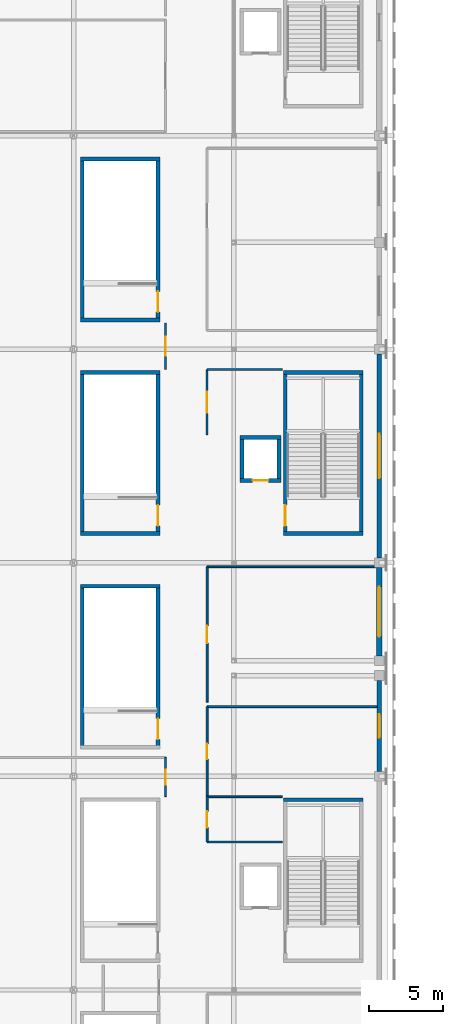
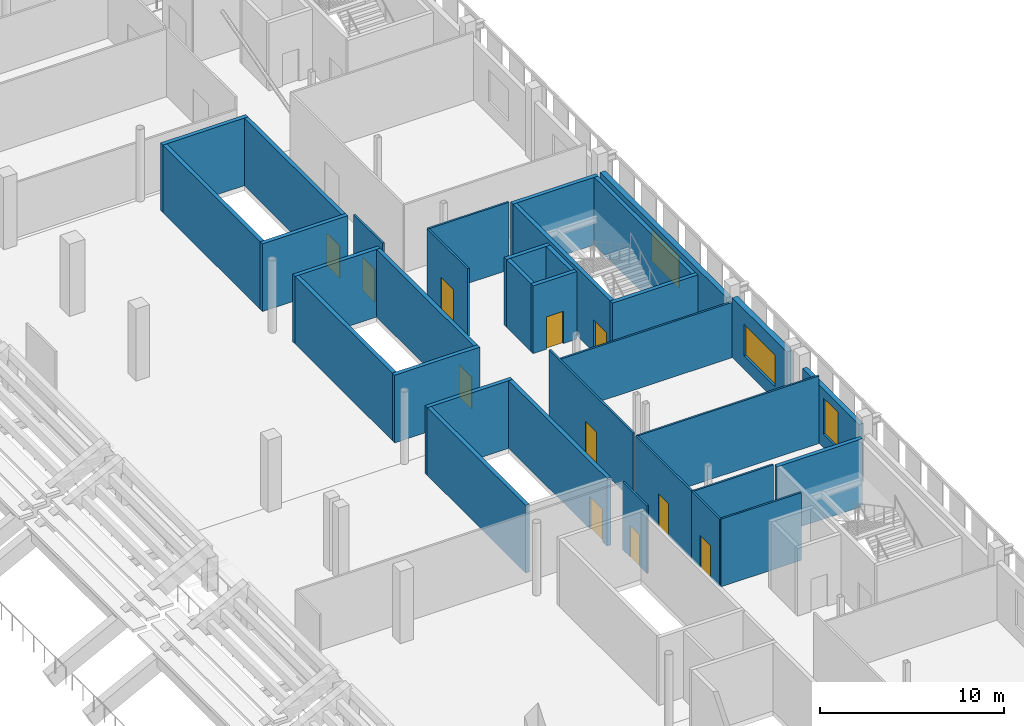
# One storey, part 39 of 74: 34 walls, 11 doors, 3 windows, 14 openings.
"""IFC4 building model written with IfcOpenShell, lengths in metres."""

from ifc_helpers import new_model, si_unit, direction, frame, frame_2d, origin, place, context, subcontext, project, spatial, rectangle, extrude, material, layer, layer_set, type_object, element, fill, save


model = new_model("IFC4")

# Units and contexts
model_context = context("Model", 3, precision=1e-05, world=origin(), true_north=direction((0.0, 1.0)))
body_context = subcontext(model_context, "Body", "Model", "MODEL_VIEW")
ifc_project = project(units=[si_unit("LENGTHUNIT", "METRE"), si_unit("AREAUNIT", "SQUARE_METRE"), si_unit("VOLUMEUNIT", "CUBIC_METRE"), si_unit("PLANEANGLEUNIT", "RADIAN"), si_unit("MASSUNIT", "GRAM", prefix="KILO")], contexts=[model_context])

# Site, building, storey
site_placement = place(None, origin())
site = spatial("IfcSite", under=ifc_project, at=site_placement, CompositionType="ELEMENT")
building_placement = place(site_placement, origin())
building = spatial("IfcBuilding", under=site, at=building_placement, Name="Koshinbarg Plaza Stadium", CompositionType="ELEMENT")
storey_placement = place(building_placement, frame((0.0, 0.0, 15.0)))
storey = spatial("IfcBuildingStorey", under=building, at=storey_placement, Name="L03", CompositionType="ELEMENT", Elevation=15.0)

# Walls
ifc_material_1 = material(Name="Concrete C40/50", Category="concrete")
ifc_layer_1 = layer(ifc_material_1, 0.25)
ifc_layer_set_1 = layer_set([ifc_layer_1], Name="Concrete C40/50")
wall_type_1 = type_object("IfcWallType", Name="WL-CORE-250", PredefinedType="SHEAR", material=ifc_layer_set_1)
for number, where, z_axis, x_axis, name in (
    (1, (217.320068359375, 67.125, 0.0), (0.0, 0.0, 1.0), (-1.0, 0.0, 0.0), "L03 core stair shear wall C08-far IWL-L03-0199"),
    (2, (211.949951171875, 85.074951171875, 0.0), (0.0, 0.0, 1.0), (1.0, 0.0, 0.0), "L03 core stair shear wall C09-near IWL-L03-0222"),
    (3, (217.320068359375, 95.925048828125, 0.0), (0.0, 0.0, 1.0), (-1.0, 0.0, 0.0), "L03 core stair shear wall C09-far IWL-L03-0223"),
):
    element("IfcWall", number, at=place(storey_placement, frame(where, z_axis=z_axis, x_axis=x_axis)), inside=storey, type_object=wall_type_1, Name=name, PredefinedType="SHEAR", context=body_context, shape_type="SweptSolid", body=[
        extrude(rectangle(XDim=5.3701171875, YDim=0.25, at=frame_2d((2.68505859375, 0.0))), origin(), (0.0, 0.0, 1.0), 4.5),
    ])

# Wall, opening, door
wall_1_placement = place(storey_placement, frame((212.074951171875, 85.074951171875, 0.0), z_axis=(0.0, 0.0, 1.0), x_axis=(0.0, 1.0, 0.0)))
wall_1 = element("IfcWall", 4, at=wall_1_placement, inside=storey, type_object=wall_type_1, Name="L03 core stair shear wall C09-left IWL-L03-0224", PredefinedType="SHEAR", context=body_context, shape_type="SweptSolid", body=[
    extrude(rectangle(XDim=10.85009765625, YDim=0.25, at=frame_2d((5.425048828125, 0.0))), origin(), (0.0, 0.0, 1.0), 4.5),
])
opening_1_placement = place(wall_1_placement, frame((0.52001953125, 0.0, 0.0)))
opening_1 = element("IfcOpeningElement", 5, at=opening_1_placement, cuts=wall_1, Name="Opening D-0118", PredefinedType="OPENING", context=body_context, shape_type="SweptSolid", body=[
    extrude(rectangle(XDim=1.39990234375, YDim=2.14990234375, at=frame_2d((0.699951171875, 1.074951171875))), frame((0.0, 0.135009765625, 0.0), z_axis=(0.0, -1.0, 0.0), x_axis=(1.0, 0.0, 0.0)), (0.0, 0.0, 1.0), 0.27001953125),
])
ifc_material_2 = material(Name="Painted galvanized steel fire door", Category="steel")
door_type_1 = type_object("IfcDoorType", Name="DR-STAIR-1400", OperationType="NOTDEFINED", PredefinedType="DOOR", material=ifc_material_2)
door_1_placement = place(opening_1_placement, frame((1.39990234375, 0.0, 0.0), z_axis=(0.0, 0.0, 1.0), x_axis=(-1.0, 0.0, 0.0)))
door_1 = element("IfcDoor", 6, at=door_1_placement, inside=storey, type_object=door_type_1, Name="L03 exit stair door C09", OperationType="SINGLE_SWING_LEFT", OverallHeight=2.14990234375, OverallWidth=1.39990234375, PredefinedType="DOOR", context=body_context, shape_type="SweptSolid", body=[
    extrude(rectangle(XDim=1.39990234375, YDim=2.14990234375, at=frame_2d((0.699951171875, 1.074951171875))), frame((0.0, 0.02490234375, 0.0), z_axis=(0.0, -1.0, 0.0), x_axis=(1.0, 0.0, 0.0)), (0.0, 0.0, 1.0), 0.050048828125),
])
fill(opening_1, door_1)

# Walls
wall_2_placement = place(storey_placement, frame((217.195068359375, 85.074951171875, 0.0), z_axis=(0.0, 0.0, 1.0), x_axis=(0.0, 1.0, 0.0)))
element("IfcWall", 7, at=wall_2_placement, inside=storey, type_object=wall_type_1, Name="L03 core stair shear wall C09-right IWL-L03-0225", PredefinedType="SHEAR", context=body_context, shape_type="SweptSolid", body=[
    extrude(rectangle(XDim=10.85009765625, YDim=0.25, at=frame_2d((5.425048828125, 0.0))), origin(), (0.0, 0.0, 1.0), 4.5),
])
wall_3_placement = place(storey_placement, frame((203.6201171875, 81.52490234375, 0.0), z_axis=(0.0, 0.0, 1.0), x_axis=(-1.0, 0.0, 0.0)))
element("IfcWall", 8, at=wall_3_placement, inside=storey, type_object=wall_type_1, Name="L03 vomitory stair shear wall VX10-far IWL-L03-0511", PredefinedType="SHEAR", context=body_context, shape_type="SweptSolid", body=[
    extrude(rectangle(XDim=5.3701171875, YDim=0.25, at=frame_2d((2.68505859375, 0.0))), origin(), (0.0, 0.0, 1.0), 4.5),
])
wall_4_placement = place(storey_placement, frame((198.375, 70.675048828125, 0.0), z_axis=(0.0, 0.0, 1.0), x_axis=(0.0, 1.0, 0.0)))
element("IfcWall", 9, at=wall_4_placement, inside=storey, type_object=wall_type_1, Name="L03 vomitory stair shear wall VX10-left IWL-L03-0512", PredefinedType="SHEAR", context=body_context, shape_type="SweptSolid", body=[
    extrude(rectangle(XDim=10.849853515625, YDim=0.25, at=frame_2d((5.4248046875, 0.0))), origin(), (0.0, 0.0, 1.0), 4.5),
])

# Wall, opening, door
wall_5_placement = place(storey_placement, frame((203.4951171875, 70.675048828125, 0.0), z_axis=(0.0, 0.0, 1.0), x_axis=(0.0, 1.0, 0.0)))
wall_5 = element("IfcWall", 10, at=wall_5_placement, inside=storey, type_object=wall_type_1, Name="L03 vomitory stair shear wall VX10-right IWL-L03-0513", PredefinedType="SHEAR", context=body_context, shape_type="SweptSolid", body=[
    extrude(rectangle(XDim=10.849853515625, YDim=0.25, at=frame_2d((5.4248046875, 0.0))), origin(), (0.0, 0.0, 1.0), 4.5),
])
opening_2_placement = place(wall_5_placement, frame((0.52001953125, 0.0, 0.0)))
opening_2 = element("IfcOpeningElement", 11, at=opening_2_placement, cuts=wall_5, Name="Opening D-0190", PredefinedType="OPENING", context=body_context, shape_type="SweptSolid", body=[
    extrude(rectangle(XDim=1.39990234375, YDim=2.14990234375, at=frame_2d((0.699951171875, 1.074951171875))), frame((0.0, 0.135009765625, 0.0), z_axis=(0.0, -1.0, 0.0), x_axis=(1.0, 0.0, 0.0)), (0.0, 0.0, 1.0), 0.27001953125),
])
door_2_placement = place(opening_2_placement, origin())
door_2 = element("IfcDoor", 12, at=door_2_placement, inside=storey, type_object=door_type_1, Name="L03 vomitory exit stair door VX10", OperationType="SINGLE_SWING_RIGHT", OverallHeight=2.14990234375, OverallWidth=1.39990234375, PredefinedType="DOOR", context=body_context, shape_type="SweptSolid", body=[
    extrude(rectangle(XDim=1.39990234375, YDim=2.14990234375, at=frame_2d((0.699951171875, 1.074951171875))), frame((0.0, 0.02490234375, 0.0), z_axis=(0.0, -1.0, 0.0), x_axis=(1.0, 0.0, 0.0)), (0.0, 0.0, 1.0), 0.050048828125),
])
fill(opening_2, door_2)

# Walls
for number, where, z_axis, x_axis, name in (
    (13, (198.25, 85.074951171875, 0.0), (0.0, 0.0, 1.0), (1.0, 0.0, 0.0), "L03 vomitory stair shear wall VX11-near IWL-L03-0526"),
    (14, (203.6201171875, 95.925048828125, 0.0), (0.0, 0.0, 1.0), (-1.0, 0.0, 0.0), "L03 vomitory stair shear wall VX11-far IWL-L03-0527"),
):
    element("IfcWall", number, at=place(storey_placement, frame(where, z_axis=z_axis, x_axis=x_axis)), inside=storey, type_object=wall_type_1, Name=name, PredefinedType="SHEAR", context=body_context, shape_type="SweptSolid", body=[
        extrude(rectangle(XDim=5.3701171875, YDim=0.25, at=frame_2d((2.68505859375, 0.0))), origin(), (0.0, 0.0, 1.0), 4.5),
    ])
wall_6_placement = place(storey_placement, frame((198.375, 85.074951171875, 0.0), z_axis=(0.0, 0.0, 1.0), x_axis=(0.0, 1.0, 0.0)))
element("IfcWall", 15, at=wall_6_placement, inside=storey, type_object=wall_type_1, Name="L03 vomitory stair shear wall VX11-left IWL-L03-0528", PredefinedType="SHEAR", context=body_context, shape_type="SweptSolid", body=[
    extrude(rectangle(XDim=10.85009765625, YDim=0.25, at=frame_2d((5.425048828125, 0.0))), origin(), (0.0, 0.0, 1.0), 4.5),
])

# Wall, opening, door
wall_7_placement = place(storey_placement, frame((203.4951171875, 85.074951171875, 0.0), z_axis=(0.0, 0.0, 1.0), x_axis=(0.0, 1.0, 0.0)))
wall_7 = element("IfcWall", 16, at=wall_7_placement, inside=storey, type_object=wall_type_1, Name="L03 vomitory stair shear wall VX11-right IWL-L03-0529", PredefinedType="SHEAR", context=body_context, shape_type="SweptSolid", body=[
    extrude(rectangle(XDim=10.85009765625, YDim=0.25, at=frame_2d((5.425048828125, 0.0))), origin(), (0.0, 0.0, 1.0), 4.5),
])
opening_3_placement = place(wall_7_placement, frame((0.52001953125, 0.0, 0.0)))
opening_3 = element("IfcOpeningElement", 17, at=opening_3_placement, cuts=wall_7, Name="Opening D-0194", PredefinedType="OPENING", context=body_context, shape_type="SweptSolid", body=[
    extrude(rectangle(XDim=1.39990234375, YDim=2.14990234375, at=frame_2d((0.699951171875, 1.074951171875))), frame((0.0, 0.135009765625, 0.0), z_axis=(0.0, -1.0, 0.0), x_axis=(1.0, 0.0, 0.0)), (0.0, 0.0, 1.0), 0.27001953125),
])
door_3_placement = place(opening_3_placement, origin())
door_3 = element("IfcDoor", 18, at=door_3_placement, inside=storey, type_object=door_type_1, Name="L03 vomitory exit stair door VX11", OperationType="SINGLE_SWING_LEFT", OverallHeight=2.14990234375, OverallWidth=1.39990234375, PredefinedType="DOOR", context=body_context, shape_type="SweptSolid", body=[
    extrude(rectangle(XDim=1.39990234375, YDim=2.14990234375, at=frame_2d((0.699951171875, 1.074951171875))), frame((0.0, 0.02490234375, 0.0), z_axis=(0.0, -1.0, 0.0), x_axis=(1.0, 0.0, 0.0)), (0.0, 0.0, 1.0), 0.050048828125),
])
fill(opening_3, door_3)

# Walls
for number, where, z_axis, x_axis, name in (
    (19, (198.25, 99.47509765625, 0.0), (0.0, 0.0, 1.0), (1.0, 0.0, 0.0), "L03 vomitory stair shear wall VX12-near IWL-L03-0542"),
    (20, (203.6201171875, 110.324951171875, 0.0), (0.0, 0.0, 1.0), (-1.0, 0.0, 0.0), "L03 vomitory stair shear wall VX12-far IWL-L03-0543"),
):
    element("IfcWall", number, at=place(storey_placement, frame(where, z_axis=z_axis, x_axis=x_axis)), inside=storey, type_object=wall_type_1, Name=name, PredefinedType="SHEAR", context=body_context, shape_type="SweptSolid", body=[
        extrude(rectangle(XDim=5.3701171875, YDim=0.25, at=frame_2d((2.68505859375, 0.0))), origin(), (0.0, 0.0, 1.0), 4.5),
    ])
wall_8_placement = place(storey_placement, frame((198.375, 99.47509765625, 0.0), z_axis=(0.0, 0.0, 1.0), x_axis=(0.0, 1.0, 0.0)))
element("IfcWall", 21, at=wall_8_placement, inside=storey, type_object=wall_type_1, Name="L03 vomitory stair shear wall VX12-left IWL-L03-0544", PredefinedType="SHEAR", context=body_context, shape_type="SweptSolid", body=[
    extrude(rectangle(XDim=10.849853515625, YDim=0.25, at=frame_2d((5.4248046875, 0.0))), origin(), (0.0, 0.0, 1.0), 4.5),
])

# Wall, opening, door
wall_9_placement = place(storey_placement, frame((203.4951171875, 99.47509765625, 0.0), z_axis=(0.0, 0.0, 1.0), x_axis=(0.0, 1.0, 0.0)))
wall_9 = element("IfcWall", 22, at=wall_9_placement, inside=storey, type_object=wall_type_1, Name="L03 vomitory stair shear wall VX12-right IWL-L03-0545", PredefinedType="SHEAR", context=body_context, shape_type="SweptSolid", body=[
    extrude(rectangle(XDim=10.849853515625, YDim=0.25, at=frame_2d((5.4248046875, 0.0))), origin(), (0.0, 0.0, 1.0), 4.5),
])
opening_4_placement = place(wall_9_placement, frame((0.52001953125, 0.0, 0.0)))
opening_4 = element("IfcOpeningElement", 23, at=opening_4_placement, cuts=wall_9, Name="Opening D-0198", PredefinedType="OPENING", context=body_context, shape_type="SweptSolid", body=[
    extrude(rectangle(XDim=1.39990234375, YDim=2.14990234375, at=frame_2d((0.699951171875, 1.074951171875))), frame((0.0, 0.135009765625, 0.0), z_axis=(0.0, -1.0, 0.0), x_axis=(1.0, 0.0, 0.0)), (0.0, 0.0, 1.0), 0.27001953125),
])
door_4_placement = place(opening_4_placement, origin())
door_4 = element("IfcDoor", 24, at=door_4_placement, inside=storey, type_object=door_type_1, Name="L03 vomitory exit stair door VX12", OperationType="SINGLE_SWING_RIGHT", OverallHeight=2.14990234375, OverallWidth=1.39990234375, PredefinedType="DOOR", context=body_context, shape_type="SweptSolid", body=[
    extrude(rectangle(XDim=1.39990234375, YDim=2.14990234375, at=frame_2d((0.699951171875, 1.074951171875))), frame((0.0, 0.02490234375, 0.0), z_axis=(0.0, -1.0, 0.0), x_axis=(1.0, 0.0, 0.0)), (0.0, 0.0, 1.0), 0.050048828125),
])
fill(opening_4, door_4)

wall_10_placement = place(storey_placement, frame((209.02490234375, 88.64990234375, 0.0), z_axis=(0.0, 0.0, 1.0), x_axis=(1.0, 0.0, 0.0)))
wall_10 = element("IfcWall", 25, at=wall_10_placement, inside=storey, type_object=wall_type_1, Name="L03 lift shaft shear wall LP05-S IWL-L03-0922", PredefinedType="SHEAR", context=body_context, shape_type="SweptSolid", body=[
    extrude(rectangle(XDim=2.75, YDim=0.25, at=frame_2d((1.375, 0.0))), origin(), (0.0, 0.0, 1.0), 4.5),
])
opening_5_placement = place(wall_10_placement, frame((0.85009765625, 0.0, 0.0)))
opening_5 = element("IfcOpeningElement", 26, at=opening_5_placement, cuts=wall_10, Name="Opening D-0300", PredefinedType="OPENING", context=body_context, shape_type="SweptSolid", body=[
    extrude(rectangle(XDim=1.050048828125, YDim=2.14990234375, at=frame_2d((0.52490234375, 1.074951171875))), frame((0.0, 0.135009765625, 0.0), z_axis=(0.0, -1.0, 0.0), x_axis=(1.0, 0.0, 0.0)), (0.0, 0.0, 1.0), 0.27001953125),
])
ifc_material_3 = material(Name="Brushed stainless steel sliding lift landing door", Category="steel")
door_type_2 = type_object("IfcDoorType", Name="DR-LIFT-1050", OperationType="NOTDEFINED", PredefinedType="DOOR", material=ifc_material_3)
door_5_placement = place(opening_5_placement, origin())
door_5 = element("IfcDoor", 27, at=door_5_placement, inside=storey, type_object=door_type_2, Name="L03 lift landing door LP05", OperationType="SLIDING_TO_RIGHT", OverallHeight=2.14990234375, OverallWidth=1.050048828125, PredefinedType="DOOR", context=body_context, shape_type="SweptSolid", body=[
    extrude(rectangle(XDim=1.050048828125, YDim=2.14990234375, at=frame_2d((0.52490234375, 1.074951171875))), frame((0.0, 0.02490234375, 0.0), z_axis=(0.0, -1.0, 0.0), x_axis=(1.0, 0.0, 0.0)), (0.0, 0.0, 1.0), 0.050048828125),
])
fill(opening_5, door_5)

# Walls
wall_11_placement = place(storey_placement, frame((211.77490234375, 91.550048828125, 0.0), z_axis=(0.0, 0.0, 1.0), x_axis=(-1.0, 0.0, 0.0)))
element("IfcWall", 28, at=wall_11_placement, inside=storey, type_object=wall_type_1, Name="L03 lift shaft shear wall LP05-N IWL-L03-0923", PredefinedType="SHEAR", context=body_context, shape_type="SweptSolid", body=[
    extrude(rectangle(XDim=2.75, YDim=0.25, at=frame_2d((1.375, 0.0))), origin(), (0.0, 0.0, 1.0), 4.5),
])
for number, where, z_axis, x_axis, name in (
    (29, (209.14990234375, 91.550048828125, 0.0), (0.0, 0.0, 1.0), (0.0, -1.0, 0.0), "L03 lift shaft shear wall LP05-W IWL-L03-0924"),
    (30, (211.64990234375, 88.64990234375, 0.0), (0.0, 0.0, 1.0), (0.0, 1.0, 0.0), "L03 lift shaft shear wall LP05-E IWL-L03-0925"),
):
    element("IfcWall", number, at=place(storey_placement, frame(where, z_axis=z_axis, x_axis=x_axis)), inside=storey, type_object=wall_type_1, Name=name, PredefinedType="SHEAR", context=body_context, shape_type="SweptSolid", body=[
        extrude(rectangle(XDim=2.900146484375, YDim=0.25, at=frame_2d((1.4501953125, 0.0))), origin(), (0.0, 0.0, 1.0), 4.5),
    ])

# Wall, opening, window
ifc_material_4 = material(Name="Terracotta-ochre mineral plaster insulated wall", Category="masonry")
ifc_layer_2 = layer(ifc_material_4, 0.280029296875)
ifc_layer_set_2 = layer_set([ifc_layer_2], Name="Terracotta-ochre mineral plaster insulated wall")
wall_type_2 = type_object("IfcWallType", Name="WL-EXT-280", PredefinedType="SOLIDWALL", material=ifc_layer_set_2)
wall_12_placement = place(storey_placement, frame((218.39990234375, 75.179931640625, 0.0), z_axis=(0.0, 0.0, 1.0), x_axis=(0.0, -1.0, 0.0)))
wall_12 = element("IfcWall", 31, at=wall_12_placement, inside=storey, type_object=wall_type_2, Name="L03 exterior envelope wall EWL-L03-0180", PredefinedType="SOLIDWALL", context=body_context, shape_type="SweptSolid", body=[
    extrude(rectangle(XDim=6.159912109375, YDim=0.280029296875, at=frame_2d((3.080078125, 0.0))), origin(), (0.0, 0.0, 1.0), 3.8798828125),
])
opening_6_placement = place(wall_12_placement, frame((2.280029296875, 0.0, 0.89990234375)))
opening_6 = element("IfcOpeningElement", 32, at=opening_6_placement, cuts=wall_12, Name="Opening WN19", PredefinedType="OPENING", context=body_context, shape_type="SweptSolid", body=[
    extrude(rectangle(XDim=1.60009765625, YDim=2.39990234375, at=frame_2d((0.800048828125, 1.199951171875))), frame((0.0, 0.14990234375, 0.0), z_axis=(0.0, -1.0, 0.0), x_axis=(1.0, 0.0, 0.0)), (0.0, 0.0, 1.0), 0.300048828125),
])
ifc_material_5 = material(Name="Solar-control double glazing in thermally broken aluminium frame", Category="aluminium")
window_type_1 = type_object("IfcWindowType", Name="WN-FAC-19", PartitioningType="DOUBLE_PANEL_VERTICAL", PredefinedType="WINDOW", material=ifc_material_5)
window_1_placement = place(opening_6_placement, origin())
window_1 = element("IfcWindow", 33, at=window_1_placement, inside=storey, type_object=window_type_1, Name="L03 facade window 0113", OverallHeight=2.39990234375, OverallWidth=1.60009765625, PartitioningType="SINGLE_PANEL", PredefinedType="WINDOW", context=body_context, shape_type="SweptSolid", body=[
    extrude(rectangle(XDim=1.60009765625, YDim=2.39990234375, at=frame_2d((0.800048828125, 1.199951171875))), frame((0.0, 0.030029296875, 0.0), z_axis=(0.0, -1.0, 0.0), x_axis=(1.0, 0.0, 0.0)), (0.0, 0.0, 1.0), 0.06005859375),
])
fill(opening_6, window_1)

ifc_material_6 = material(Name="Ultramarine-blue pigmented mineral plaster facade wall", Category="masonry")
ifc_layer_3 = layer(ifc_material_6, 0.320068359375)
ifc_layer_set_3 = layer_set([ifc_layer_3], Name="Ultramarine-blue pigmented mineral plaster facade wall")
wall_type_3 = type_object("IfcWallType", Name="WL-EXT-320", PredefinedType="SOLIDWALL", material=ifc_layer_set_3)
wall_13_placement = place(storey_placement, frame((218.39990234375, 97.179931640625, 0.0), z_axis=(0.0, 0.0, 1.0), x_axis=(0.0, -1.0, 0.0)))
wall_13 = element("IfcWall", 34, at=wall_13_placement, inside=storey, type_object=wall_type_3, Name="L03 exterior envelope wall EWL-L03-0178", PredefinedType="SOLIDWALL", context=body_context, shape_type="SweptSolid", body=[
    extrude(rectangle(XDim=13.760009765625, YDim=0.320068359375, at=frame_2d((6.8798828125, 0.0))), origin(), (0.0, 0.0, 1.0), 3.580078125),
])
opening_7_placement = place(wall_13_placement, frame((5.3798828125, 0.0, 0.89990234375)))
opening_7 = element("IfcOpeningElement", 35, at=opening_7_placement, cuts=wall_13, Name="Opening WN17", PredefinedType="OPENING", context=body_context, shape_type="SweptSolid", body=[
    extrude(rectangle(XDim=3.0, YDim=2.10009765625, at=frame_2d((1.5, 1.050048828125))), frame((0.0, 0.169921875, 0.0), z_axis=(0.0, -1.0, 0.0), x_axis=(1.0, 0.0, 0.0)), (0.0, 0.0, 1.0), 0.340087890625),
])
window_type_2 = type_object("IfcWindowType", Name="WN-FAC-17", PartitioningType="DOUBLE_PANEL_VERTICAL", PredefinedType="WINDOW", material=ifc_material_5)
window_2_placement = place(opening_7_placement, origin())
window_2 = element("IfcWindow", 36, at=window_2_placement, inside=storey, type_object=window_type_2, Name="L03 facade window 0111", OverallHeight=2.10009765625, OverallWidth=3.0, PartitioningType="SINGLE_PANEL", PredefinedType="WINDOW", context=body_context, shape_type="SweptSolid", body=[
    extrude(rectangle(XDim=3.0, YDim=2.10009765625, at=frame_2d((1.5, 1.050048828125))), frame((0.0, 0.030029296875, 0.0), z_axis=(0.0, -1.0, 0.0), x_axis=(1.0, 0.0, 0.0)), (0.0, 0.0, 1.0), 0.06005859375),
])
fill(opening_7, window_2)

ifc_material_7 = material(Name="Acoustic insulated masonry stadium wall", Category="masonry")
ifc_layer_4 = layer(ifc_material_7, 0.35009765625)
ifc_layer_set_4 = layer_set([ifc_layer_4], Name="Acoustic insulated masonry stadium wall")
wall_type_4 = type_object("IfcWallType", Name="WL-EXT-350", PredefinedType="SOLIDWALL", material=ifc_layer_set_4)
wall_14_placement = place(storey_placement, frame((218.39990234375, 82.780029296875, 0.0), z_axis=(0.0, 0.0, 1.0), x_axis=(0.0, -1.0, 0.0)))
wall_14 = element("IfcWall", 37, at=wall_14_placement, inside=storey, type_object=wall_type_4, Name="L03 exterior envelope wall EWL-L03-0179", PredefinedType="SOLIDWALL", context=body_context, shape_type="SweptSolid", body=[
    extrude(rectangle(XDim=5.9599609375, YDim=0.35009765625, at=frame_2d((2.97998046875, 0.0))), origin(), (0.0, 0.0, 1.0), 3.97998046875),
])
opening_8_placement = place(wall_14_placement, frame((1.280029296875, 0.0, 0.89990234375)))
opening_8 = element("IfcOpeningElement", 38, at=opening_8_placement, cuts=wall_14, Name="Opening WN18", PredefinedType="OPENING", context=body_context, shape_type="SweptSolid", body=[
    extrude(rectangle(XDim=3.39990234375, YDim=2.10009765625, at=frame_2d((1.699951171875, 1.050048828125))), frame((0.0, 0.18505859375, 0.0), z_axis=(0.0, -1.0, 0.0), x_axis=(1.0, 0.0, 0.0)), (0.0, 0.0, 1.0), 0.3701171875),
])
window_type_3 = type_object("IfcWindowType", Name="WN-FAC-18", PartitioningType="DOUBLE_PANEL_VERTICAL", PredefinedType="WINDOW", material=ifc_material_5)
window_3_placement = place(opening_8_placement, origin())
window_3 = element("IfcWindow", 39, at=window_3_placement, inside=storey, type_object=window_type_3, Name="L03 facade window 0112", OverallHeight=2.10009765625, OverallWidth=3.39990234375, PartitioningType="SINGLE_PANEL", PredefinedType="WINDOW", context=body_context, shape_type="SweptSolid", body=[
    extrude(rectangle(XDim=3.39990234375, YDim=2.10009765625, at=frame_2d((1.699951171875, 1.050048828125))), frame((0.0, 0.030029296875, 0.0), z_axis=(0.0, -1.0, 0.0), x_axis=(1.0, 0.0, 0.0)), (0.0, 0.0, 1.0), 0.06005859375),
])
fill(opening_8, window_3)

# Wall, opening, door
ifc_material_8 = material(Name="Gypsum board metal-stud acoustic partition")
ifc_layer_5 = layer(ifc_material_8, 0.1201171875)
ifc_layer_set_5 = layer_set([ifc_layer_5], Name="Gypsum board metal-stud acoustic partition")
wall_type_5 = type_object("IfcWallType", Name="WL-PART-120", PredefinedType="PARTITIONING", material=ifc_layer_set_5)
wall_15_placement = place(storey_placement, frame((204.0, 67.330078125, 0.0), z_axis=(0.0, 0.0, 1.0), x_axis=(0.0, 1.0, 0.0)))
wall_15 = element("IfcWall", 40, at=wall_15_placement, inside=storey, type_object=wall_type_5, Name="L03 interior partition L03-86-east IWL-L03-1973", PredefinedType="PARTITIONING", context=body_context, shape_type="SweptSolid", body=[
    extrude(rectangle(XDim=2.64794921875, YDim=0.1201171875, at=frame_2d((1.323974609375, 0.0))), origin(), (0.0, 0.0, 1.0), 4.5),
])
opening_9_placement = place(wall_15_placement, frame((0.823974609375, 0.0, 0.0)))
opening_9 = element("IfcOpeningElement", 41, at=opening_9_placement, cuts=wall_15, Name="Opening D-0676", PredefinedType="OPENING", context=body_context, shape_type="SweptSolid", body=[
    extrude(rectangle(XDim=1.0, YDim=2.10009765625, at=frame_2d((0.5, 1.050048828125))), frame((0.0, 0.070068359375, 0.0), z_axis=(0.0, -1.0, 0.0), x_axis=(1.0, 0.0, 0.0)), (0.0, 0.0, 1.0), 0.14013671875),
])
ifc_material_9 = material(Name="Solid-core laminate accessible WC door")
door_type_3 = type_object("IfcDoorType", Name="DR-INT-1000x2100", OperationType="NOTDEFINED", PredefinedType="DOOR", material=ifc_material_9)
door_6_placement = place(opening_9_placement, origin())
door_6 = element("IfcDoor", 42, at=door_6_placement, inside=storey, type_object=door_type_3, Name="L03 Youth Fan Zone Hall door D-0676", OperationType="SINGLE_SWING_RIGHT", OverallHeight=2.10009765625, OverallWidth=1.0, PredefinedType="DOOR", context=body_context, shape_type="SweptSolid", body=[
    extrude(rectangle(XDim=1.0, YDim=2.10009765625, at=frame_2d((0.5, 1.050048828125))), frame((0.0, 0.02490234375, 0.0), z_axis=(0.0, -1.0, 0.0), x_axis=(1.0, 0.0, 0.0)), (0.0, 0.0, 1.0), 0.050048828125),
])
fill(opening_9, door_6)

# Wall
wall_16_placement = place(storey_placement, frame((218.2548828125, 73.4052734375, 0.0), z_axis=(0.0, 0.0, 1.0), x_axis=(-1.0, 0.0, 0.0)))
element("IfcWall", 43, at=wall_16_placement, inside=storey, type_object=wall_type_5, Name="L03 interior partition L03-87-north IWL-L03-1976", PredefinedType="PARTITIONING", context=body_context, shape_type="SweptSolid", body=[
    extrude(rectangle(XDim=11.454833984375, YDim=0.1201171875, at=frame_2d((5.7275390625, 0.0))), origin(), (0.0, 0.0, 1.0), 4.5),
])

# Wall, opening, door
wall_17_placement = place(storey_placement, frame((206.800048828125, 73.4052734375, 0.0), z_axis=(0.0, 0.0, 1.0), x_axis=(0.0, -1.0, 0.0)))
wall_17 = element("IfcWall", 44, at=wall_17_placement, inside=storey, type_object=wall_type_5, Name="L03 interior partition L03-87-west IWL-L03-1977", PredefinedType="PARTITIONING", context=body_context, shape_type="SweptSolid", body=[
    extrude(rectangle(XDim=6.0751953125, YDim=0.1201171875, at=frame_2d((3.03759765625, 0.0))), origin(), (0.0, 0.0, 1.0), 4.5),
])
opening_10_placement = place(wall_17_placement, frame((2.5126953125, 0.0, 0.0)))
opening_10 = element("IfcOpeningElement", 45, at=opening_10_placement, cuts=wall_17, Name="Opening D-0677", PredefinedType="OPENING", context=body_context, shape_type="SweptSolid", body=[
    extrude(rectangle(XDim=1.050048828125, YDim=2.14990234375, at=frame_2d((0.52490234375, 1.074951171875))), frame((0.0, 0.070068359375, 0.0), z_axis=(0.0, -1.0, 0.0), x_axis=(1.0, 0.0, 0.0)), (0.0, 0.0, 1.0), 0.14013671875),
])
ifc_material_10 = material(Name="Solid-core oak suite entrance door")
door_type_4 = type_object("IfcDoorType", Name="DR-INT-1050x2150", OperationType="NOTDEFINED", PredefinedType="DOOR", material=ifc_material_10)
door_7_placement = place(opening_10_placement, origin())
door_7 = element("IfcDoor", 46, at=door_7_placement, inside=storey, type_object=door_type_4, Name="L03 East Upper Public Concourse door D-0677", OperationType="SINGLE_SWING_LEFT", OverallHeight=2.14990234375, OverallWidth=1.050048828125, PredefinedType="DOOR", context=body_context, shape_type="SweptSolid", body=[
    extrude(rectangle(XDim=1.050048828125, YDim=2.14990234375, at=frame_2d((0.52490234375, 1.074951171875))), frame((0.0, 0.02490234375, 0.0), z_axis=(0.0, -1.0, 0.0), x_axis=(1.0, 0.0, 0.0)), (0.0, 0.0, 1.0), 0.050048828125),
])
fill(opening_10, door_7)

# Walls
for number, where, z_axis, x_axis, name in (
    (47, (206.800048828125, 64.280517578125, 0.0), (0.0, 0.0, 1.0), (1.0, 0.0, 0.0), "L03 interior partition L03-88-south IWL-L03-1978"),
    (48, (211.8701171875, 67.330078125, 0.0), (0.0, 0.0, 1.0), (-1.0, 0.0, 0.0), "L03 interior partition L03-88-north IWL-L03-1979"),
):
    element("IfcWall", number, at=place(storey_placement, frame(where, z_axis=z_axis, x_axis=x_axis)), inside=storey, type_object=wall_type_5, Name=name, PredefinedType="PARTITIONING", context=body_context, shape_type="SweptSolid", body=[
        extrude(rectangle(XDim=5.070068359375, YDim=0.1201171875, at=frame_2d((2.53515625, 0.0))), origin(), (0.0, 0.0, 1.0), 4.5),
    ])

# Wall, opening, door
wall_18_placement = place(storey_placement, frame((206.800048828125, 67.330078125, 0.0), z_axis=(0.0, 0.0, 1.0), x_axis=(0.0, -1.0, 0.0)))
wall_18 = element("IfcWall", 49, at=wall_18_placement, inside=storey, type_object=wall_type_5, Name="L03 interior partition L03-88-west IWL-L03-1980", PredefinedType="PARTITIONING", context=body_context, shape_type="SweptSolid", body=[
    extrude(rectangle(XDim=3.049560546875, YDim=0.1201171875, at=frame_2d((1.52490234375, 0.0))), origin(), (0.0, 0.0, 1.0), 4.5),
])
opening_11_placement = place(wall_18_placement, frame((0.96484375, 0.0, 0.0)))
opening_11 = element("IfcOpeningElement", 50, at=opening_11_placement, cuts=wall_18, Name="Opening D-0678", PredefinedType="OPENING", context=body_context, shape_type="SweptSolid", body=[
    extrude(rectangle(XDim=1.1201171875, YDim=2.14990234375, at=frame_2d((0.56005859375, 1.074951171875))), frame((0.0, 0.070068359375, 0.0), z_axis=(0.0, -1.0, 0.0), x_axis=(1.0, 0.0, 0.0)), (0.0, 0.0, 1.0), 0.14013671875),
])
ifc_material_11 = material(Name="Acoustic timber broadcast studio door", Category="wood")
door_type_5 = type_object("IfcDoorType", Name="DR-INT-1120x2150", OperationType="NOTDEFINED", PredefinedType="DOOR", material=ifc_material_11)
door_8_placement = place(opening_11_placement, origin())
door_8 = element("IfcDoor", 51, at=door_8_placement, inside=storey, type_object=door_type_5, Name="L03 East Family Cafe Hall door D-0678", OperationType="SINGLE_SWING_RIGHT", OverallHeight=2.14990234375, OverallWidth=1.1201171875, PredefinedType="DOOR", context=body_context, shape_type="SweptSolid", body=[
    extrude(rectangle(XDim=1.1201171875, YDim=2.14990234375, at=frame_2d((0.56005859375, 1.074951171875))), frame((0.0, 0.02490234375, 0.0), z_axis=(0.0, -1.0, 0.0), x_axis=(1.0, 0.0, 0.0)), (0.0, 0.0, 1.0), 0.050048828125),
])
fill(opening_11, door_8)

# Wall
wall_19_placement = place(storey_placement, frame((218.2548828125, 82.830078125, 0.0), z_axis=(0.0, 0.0, 1.0), x_axis=(-1.0, 0.0, 0.0)))
element("IfcWall", 52, at=wall_19_placement, inside=storey, type_object=wall_type_5, Name="L03 interior partition L03-89-north IWL-L03-1981", PredefinedType="PARTITIONING", context=body_context, shape_type="SweptSolid", body=[
    extrude(rectangle(XDim=11.454833984375, YDim=0.1201171875, at=frame_2d((5.7275390625, 0.0))), origin(), (0.0, 0.0, 1.0), 3.679931640625),
])

# Wall, opening, door
wall_20_placement = place(storey_placement, frame((206.800048828125, 82.830078125, 0.0), z_axis=(0.0, 0.0, 1.0), x_axis=(0.0, -1.0, 0.0)))
wall_20 = element("IfcWall", 53, at=wall_20_placement, inside=storey, type_object=wall_type_5, Name="L03 interior partition L03-89-west IWL-L03-1982", PredefinedType="PARTITIONING", context=body_context, shape_type="SweptSolid", body=[
    extrude(rectangle(XDim=9.125, YDim=0.1201171875, at=frame_2d((4.5625, 0.0))), origin(), (0.0, 0.0, 1.0), 4.5),
])
opening_12_placement = place(wall_20_placement, frame((3.96240234375, 0.0, 0.0)))
opening_12 = element("IfcOpeningElement", 54, at=opening_12_placement, cuts=wall_20, Name="Opening D-0679", PredefinedType="OPENING", context=body_context, shape_type="SweptSolid", body=[
    extrude(rectangle(XDim=1.199951171875, YDim=2.14990234375, at=frame_2d((0.60009765625, 1.074951171875))), frame((0.0, 0.070068359375, 0.0), z_axis=(0.0, -1.0, 0.0), x_axis=(1.0, 0.0, 0.0)), (0.0, 0.0, 1.0), 0.14013671875),
])
ifc_material_12 = material(Name="Solid-core hardwood leaf in painted steel frame", Category="steel")
door_type_6 = type_object("IfcDoorType", Name="DR-INT-1200x2150", OperationType="NOTDEFINED", PredefinedType="DOOR", material=ifc_material_12)
door_9_placement = place(opening_12_placement, origin())
door_9 = element("IfcDoor", 55, at=door_9_placement, inside=storey, type_object=door_type_6, Name="L03 East Family Cafe Hall door D-0679", OperationType="SINGLE_SWING_LEFT", OverallHeight=2.14990234375, OverallWidth=1.199951171875, PredefinedType="DOOR", context=body_context, shape_type="SweptSolid", body=[
    extrude(rectangle(XDim=1.199951171875, YDim=2.14990234375, at=frame_2d((0.60009765625, 1.074951171875))), frame((0.0, 0.02490234375, 0.0), z_axis=(0.0, -1.0, 0.0), x_axis=(1.0, 0.0, 0.0)), (0.0, 0.0, 1.0), 0.050048828125),
])
fill(opening_12, door_9)

wall_21_placement = place(storey_placement, frame((204.0, 96.1298828125, 0.0), z_axis=(0.0, 0.0, 1.0), x_axis=(0.0, 1.0, 0.0)))
wall_21 = element("IfcWall", 56, at=wall_21_placement, inside=storey, type_object=wall_type_5, Name="L03 interior partition L03-90-east IWL-L03-1983", PredefinedType="PARTITIONING", context=body_context, shape_type="SweptSolid", body=[
    extrude(rectangle(XDim=3.14013671875, YDim=0.1201171875, at=frame_2d((1.570068359375, 0.0))), origin(), (0.0, 0.0, 1.0), 4.5),
])
opening_13_placement = place(wall_21_placement, frame((0.919921875, 0.0, 0.0)))
opening_13 = element("IfcOpeningElement", 57, at=opening_13_placement, cuts=wall_21, Name="Opening D-0680", PredefinedType="OPENING", context=body_context, shape_type="SweptSolid", body=[
    extrude(rectangle(XDim=1.300048828125, YDim=2.199951171875, at=frame_2d((0.64990234375, 1.10009765625))), frame((0.0, 0.070068359375, 0.0), z_axis=(0.0, -1.0, 0.0), x_axis=(1.0, 0.0, 0.0)), (0.0, 0.0, 1.0), 0.14013671875),
])
ifc_material_13 = material(Name="Thermally broken anodised aluminium glazed door", Category="aluminium")
door_type_7 = type_object("IfcDoorType", Name="DR-INT-1300x2200", OperationType="NOTDEFINED", PredefinedType="DOOR", material=ifc_material_13)
door_10_placement = place(opening_13_placement, origin())
door_10 = element("IfcDoor", 58, at=door_10_placement, inside=storey, type_object=door_type_7, Name="L03 East Family Cafe Hall door D-0680", OperationType="SINGLE_SWING_RIGHT", OverallHeight=2.199951171875, OverallWidth=1.300048828125, PredefinedType="DOOR", context=body_context, shape_type="SweptSolid", body=[
    extrude(rectangle(XDim=1.300048828125, YDim=2.199951171875, at=frame_2d((0.64990234375, 1.10009765625))), frame((0.0, 0.02490234375, 0.0), z_axis=(0.0, -1.0, 0.0), x_axis=(1.0, 0.0, 0.0)), (0.0, 0.0, 1.0), 0.050048828125),
])
fill(opening_13, door_10)

# Wall
wall_22_placement = place(storey_placement, frame((211.8701171875, 96.1298828125, 0.0), z_axis=(0.0, 0.0, 1.0), x_axis=(-1.0, 0.0, 0.0)))
element("IfcWall", 59, at=wall_22_placement, inside=storey, type_object=wall_type_5, Name="L03 interior partition L03-91-north IWL-L03-1985", PredefinedType="PARTITIONING", context=body_context, shape_type="SweptSolid", body=[
    extrude(rectangle(XDim=5.070068359375, YDim=0.1201171875, at=frame_2d((2.53515625, 0.0))), origin(), (0.0, 0.0, 1.0), 4.5),
])

# Wall, opening, door
wall_23_placement = place(storey_placement, frame((206.800048828125, 96.1298828125, 0.0), z_axis=(0.0, 0.0, 1.0), x_axis=(0.0, -1.0, 0.0)))
wall_23 = element("IfcWall", 60, at=wall_23_placement, inside=storey, type_object=wall_type_5, Name="L03 interior partition L03-91-west IWL-L03-1986", PredefinedType="PARTITIONING", context=body_context, shape_type="SweptSolid", body=[
    extrude(rectangle(XDim=4.39990234375, YDim=0.1201171875, at=frame_2d((2.199951171875, 0.0))), origin(), (0.0, 0.0, 1.0), 4.5),
])
opening_14_placement = place(wall_23_placement, frame((1.5, 0.0, 0.0)))
opening_14 = element("IfcOpeningElement", 61, at=opening_14_placement, cuts=wall_23, Name="Opening D-0681", PredefinedType="OPENING", context=body_context, shape_type="SweptSolid", body=[
    extrude(rectangle(XDim=1.39990234375, YDim=2.199951171875, at=frame_2d((0.699951171875, 1.10009765625))), frame((0.0, 0.070068359375, 0.0), z_axis=(0.0, -1.0, 0.0), x_axis=(1.0, 0.0, 0.0)), (0.0, 0.0, 1.0), 0.14013671875),
])
ifc_material_14 = material(Name="Stainless-clad solid-core timber double fire door", Category="wood")
door_type_8 = type_object("IfcDoorType", Name="DR-INT-1400x2200", OperationType="NOTDEFINED", PredefinedType="DOOR", material=ifc_material_14)
door_11_placement = place(opening_14_placement, origin())
door_11 = element("IfcDoor", 62, at=door_11_placement, inside=storey, type_object=door_type_8, Name="L03 East Family Cafe Hall door D-0681", OperationType="DOUBLE_DOOR_SINGLE_SWING", OverallHeight=2.199951171875, OverallWidth=1.39990234375, PredefinedType="DOOR", context=body_context, shape_type="SweptSolid", body=[
    extrude(rectangle(XDim=1.39990234375, YDim=2.199951171875, at=frame_2d((0.699951171875, 1.10009765625))), frame((0.0, 0.02490234375, 0.0), z_axis=(0.0, -1.0, 0.0), x_axis=(1.0, 0.0, 0.0)), (0.0, 0.0, 1.0), 0.050048828125),
])
fill(opening_14, door_11)

save(model, "model.ifc")
